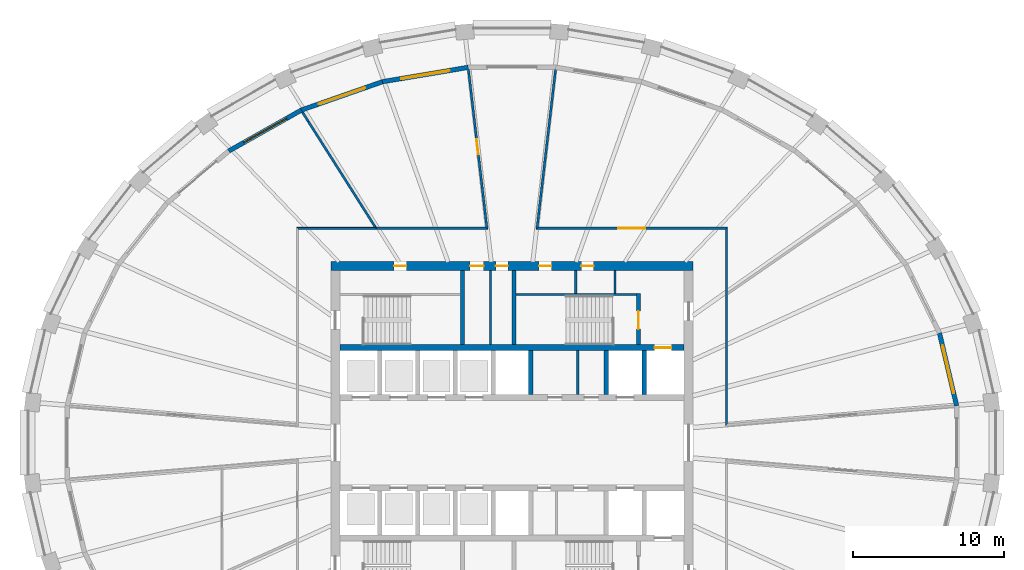
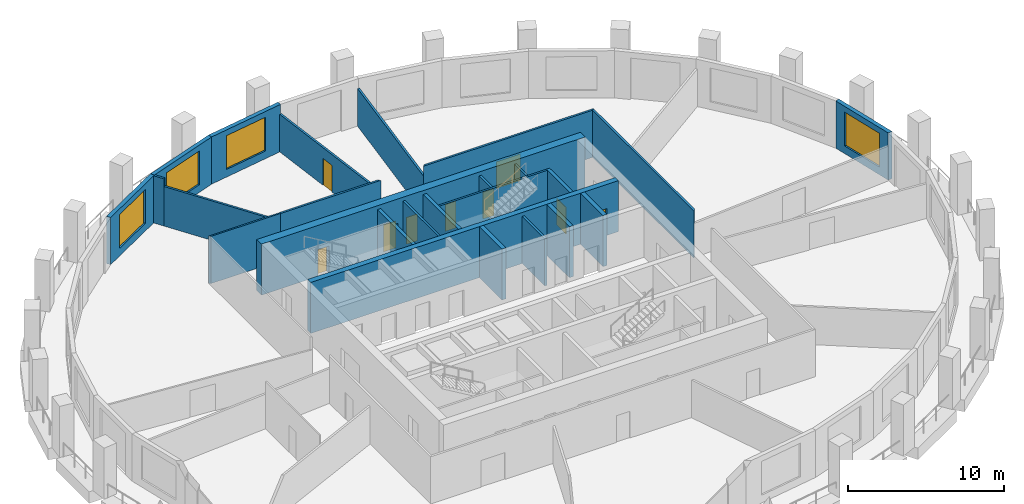
# One storey, part 6 of 10: 25 walls, 9 doors, 4 windows, 13 openings.
"""IFC4 building model written with IfcOpenShell, lengths in metres."""

from ifc_helpers import new_model, si_unit, direction, frame, frame_2d, origin, place, context, subcontext, project, spatial, polyline, rectangle, outline, extrude, material, layer, layer_set, type_object, element, fill, save


model = new_model("IFC4")

# Units and contexts
model_context = context("Model", 3, precision=1e-05, world=origin(), true_north=direction((0.0, 1.0)))
body_context = subcontext(model_context, "Body", "Model", "MODEL_VIEW")
ifc_project = project(units=[si_unit("LENGTHUNIT", "METRE"), si_unit("AREAUNIT", "SQUARE_METRE"), si_unit("VOLUMEUNIT", "CUBIC_METRE"), si_unit("PLANEANGLEUNIT", "RADIAN"), si_unit("MASSUNIT", "GRAM", prefix="KILO")], contexts=[model_context])

# Site, building, storey
site_placement = place(None, origin())
site = spatial("IfcSite", under=ifc_project, at=site_placement, CompositionType="ELEMENT")
building_placement = place(site_placement, origin())
building = spatial("IfcBuilding", under=site, at=building_placement, Name="Halqa Exchange Tower", CompositionType="ELEMENT")
storey_placement = place(building_placement, frame((0.0, 0.0, 210.89990234375)))
storey = spatial("IfcBuildingStorey", under=building, at=storey_placement, Name="L48", CompositionType="ELEMENT", Elevation=210.89990234375)

# Walls
ifc_material_1 = material(Name="Fire-rated gypsum board")
ifc_layer_1 = layer(ifc_material_1, 0.14990234375)
ifc_layer_set_1 = layer_set([ifc_layer_1], Name="Fire-rated gypsum board")
wall_type_1 = type_object("IfcWallType", Name="Fire partition EI 60 150", PredefinedType="PARTITIONING", material=ifc_layer_set_1)
wall_1_placement = place(storey_placement, frame((-9.022216796875, 14.235107421875, 0.0), z_axis=(0.0, 0.0, 1.0), x_axis=(-0.535447641226, 0.844568424407, 0.0)))
element("IfcWall", 1, at=wall_1_placement, inside=storey, type_object=wall_type_1, Name="L48-PWL-009", PredefinedType="PARTITIONING", context=body_context, shape_type="SweptSolid", body=[
    extrude(outline(polyline([(8.324462890625, 0.074951171875), (6.675048828125, 0.074951171875), (5.025390625, 0.074951171875), (3.3759765625, 0.074951171875), (1.7265625, 0.074951171875), (0.076904296875, 0.074951171875), (0.009033203125, -0.031982421875), (0.021728515625, -0.0400390625), (0.0, -0.074462890625), (0.0, -0.074951171875), (1.664794921875, -0.074951171875), (3.329833984375, -0.074951171875), (4.99462890625, -0.074951171875), (6.65966796875, -0.074951171875), (8.324462890625, -0.074951171875), (8.324462890625, 0.074951171875)])), origin(), (0.0, 0.0, 1.0), 3.10009765625),
])
wall_2_placement = place(storey_placement, frame((-9.0, 14.199951171875, 0.0), z_axis=(0.0, 0.0, 1.0), x_axis=(1.0, 0.0, 0.0)))
element("IfcWall", 2, at=wall_2_placement, inside=storey, type_object=wall_type_1, Name="L48-PWL-010", PredefinedType="PARTITIONING", context=body_context, shape_type="SweptSolid", body=[
    extrude(outline(polyline([(0.0, -0.074951171875), (1.85595703125, -0.074951171875), (3.712158203125, -0.074951171875), (5.568115234375, -0.074951171875), (7.42431640625, -0.074951171875), (7.255859375, 0.074951171875), (5.44189453125, 0.074951171875), (3.6279296875, 0.074951171875), (1.81396484375, 0.074951171875), (0.0, 0.074951171875), (0.0, -0.074951171875)])), origin(), (0.0, 0.0, 1.0), 3.7001953125),
])

# Wall, opening, door
wall_3_placement = place(storey_placement, frame((-1.650146484375, 14.1162109375, 0.0), z_axis=(0.0, 0.0, 1.0), x_axis=(-0.115779808049, 0.99327490457, 0.0)))
wall_3 = element("IfcWall", 3, at=wall_3_placement, inside=storey, type_object=wall_type_1, Name="L48-PWL-012", PredefinedType="PARTITIONING", context=body_context, shape_type="SweptSolid", body=[
    extrude(outline(polyline([(0.0, -0.074951171875), (1.776611328125, -0.074951171875), (3.552978515625, -0.074951171875), (5.329345703125, -0.074951171875), (7.105712890625, -0.074951171875), (8.88232421875, -0.074951171875), (10.65869140625, -0.074951171875), (10.66357421875, -0.032958984375), (10.66357421875, 0.074951171875), (8.914306640625, 0.074951171875), (7.165283203125, 0.074951171875), (5.416015625, 0.074951171875), (3.666748046875, 0.074951171875), (1.917724609375, 0.074951171875), (0.16845703125, 0.074951171875), (0.08447265625, 0.0), (0.0, -0.074951171875)])), origin(), (0.0, 0.0, 1.0), 2.947021484375),
])
opening_1_placement = place(wall_3_placement, frame((5.02587890625, 0.0, 0.0)))
opening_1 = element("IfcOpeningElement", 4, at=opening_1_placement, cuts=wall_3, Name="Opening 14-01", PredefinedType="OPENING", context=body_context, shape_type="SweptSolid", body=[
    extrude(rectangle(XDim=1.0, YDim=2.10009765625, at=frame_2d((0.5, 1.050048828125))), frame((0.0, 0.0869140625, 0.0), z_axis=(0.0, -1.0, 0.0), x_axis=(1.0, 0.0, 0.0)), (0.0, 0.0, 1.0), 0.173828125),
])
ifc_material_2 = material(Name="Steel fire door leaf", Category="steel")
door_type_1 = type_object("IfcDoorType", Name="Fire door FD30S 1000 x 2100", OperationType="SINGLE_SWING_LEFT", PredefinedType="DOOR", material=ifc_material_2)
door_1_placement = place(opening_1_placement, origin())
door_1 = element("IfcDoor", 5, at=door_1_placement, inside=storey, type_object=door_type_1, Name="L48-IDR-001", OperationType="SINGLE_SWING_LEFT", OverallHeight=2.10009765625, OverallWidth=1.0, PredefinedType="DOOR", context=body_context, shape_type="SweptSolid", body=[
    extrude(rectangle(XDim=1.0, YDim=2.10009765625, at=frame_2d((0.5, 1.050048828125))), frame((0.0, 0.02490234375, 0.0), z_axis=(0.0, -1.0, 0.0), x_axis=(1.0, 0.0, 0.0)), (0.0, 0.0, 1.0), 0.050048828125),
])
fill(opening_1, door_1)

wall_4_placement = place(storey_placement, frame((1.57568359375, 14.199951171875, 0.0), z_axis=(0.0, 0.0, 1.0), x_axis=(1.0, 0.0, 0.0)))
wall_4 = element("IfcWall", 6, at=wall_4_placement, inside=storey, type_object=wall_type_1, Name="L48-PWL-013", PredefinedType="PARTITIONING", context=body_context, shape_type="SweptSolid", body=[
    extrude(outline(polyline([(0.0, -0.074951171875), (1.792724609375, -0.074951171875), (3.58544921875, -0.074951171875), (5.37841796875, -0.074951171875), (7.171142578125, -0.074951171875), (8.9638671875, -0.074951171875), (10.756591796875, -0.074951171875), (12.54931640625, -0.074951171875), (12.69921875, 0.074951171875), (10.9091796875, 0.074951171875), (9.118896484375, 0.074951171875), (7.328857421875, 0.074951171875), (5.538818359375, 0.074951171875), (3.748779296875, 0.074951171875), (1.95849609375, 0.074951171875), (0.16845703125, 0.074951171875), (0.0, -0.074951171875)])), origin(), (0.0, 0.0, 1.0), 3.7001953125),
])
opening_2_placement = place(wall_4_placement, frame((5.4541015625, 0.0, 0.0)))
opening_2 = element("IfcOpeningElement", 7, at=opening_2_placement, cuts=wall_4, Name="Opening 14-09", PredefinedType="OPENING", context=body_context, shape_type="SweptSolid", body=[
    extrude(rectangle(XDim=1.800048828125, YDim=2.10009765625, at=frame_2d((0.89990234375, 1.050048828125))), frame((0.0, 0.0869140625, 0.0), z_axis=(0.0, -1.0, 0.0), x_axis=(1.0, 0.0, 0.0)), (0.0, 0.0, 1.0), 0.173828125),
])
door_type_2 = type_object("IfcDoorType", Name="Fire door FD30S double 1800 x 2100", OperationType="DOUBLE_DOOR_SINGLE_SWING", PredefinedType="DOOR", material=ifc_material_2)
door_2_placement = place(opening_2_placement, origin())
door_2 = element("IfcDoor", 8, at=door_2_placement, inside=storey, type_object=door_type_2, Name="L48-IDR-009", OperationType="DOUBLE_DOOR_SINGLE_SWING", OverallHeight=2.10009765625, OverallWidth=1.800048828125, PredefinedType="DOOR", context=body_context, shape_type="SweptSolid", body=[
    extrude(rectangle(XDim=1.800048828125, YDim=2.10009765625, at=frame_2d((0.89990234375, 1.050048828125))), frame((0.0, 0.02490234375, 0.0), z_axis=(0.0, -1.0, 0.0), x_axis=(1.0, 0.0, 0.0)), (0.0, 0.0, 1.0), 0.050048828125),
])
fill(opening_2, door_2)

# Walls
wall_5_placement = place(storey_placement, frame((2.884765625, 24.7080078125, 0.0), z_axis=(0.0, 0.0, 1.0), x_axis=(-0.115779808049, -0.99327490457, 0.0)))
element("IfcWall", 9, at=wall_5_placement, inside=storey, type_object=wall_type_1, Name="L48-PWL-014", PredefinedType="PARTITIONING", context=body_context, shape_type="SweptSolid", body=[
    extrude(outline(polyline([(0.0048828125, -0.074951171875), (1.78125, -0.074951171875), (3.5576171875, -0.074951171875), (5.334228515625, -0.074951171875), (7.110595703125, -0.074951171875), (8.886962890625, -0.074951171875), (10.663330078125, -0.074951171875), (10.5791015625, 0.0), (10.4951171875, 0.074951171875), (8.745849609375, 0.074951171875), (6.99658203125, 0.074951171875), (5.24755859375, 0.074951171875), (3.498291015625, 0.074951171875), (1.749267578125, 0.074951171875), (0.0, 0.074951171875), (0.0, -0.03369140625), (0.0048828125, -0.074951171875)])), origin(), (0.0, 0.0, 1.0), 2.947021484375),
])
wall_6_placement = place(storey_placement, frame((14.199951171875, 1.098388671875, 0.0), z_axis=(0.0, 0.0, 1.0), x_axis=(0.0, 1.0, 0.0)))
element("IfcWall", 10, at=wall_6_placement, inside=storey, type_object=wall_type_1, Name="L48-PWL-018", PredefinedType="PARTITIONING", context=body_context, shape_type="SweptSolid", body=[
    extrude(outline(polyline([(0.1630859375, -0.074951171875), (2.02197265625, -0.074951171875), (3.881103515625, -0.074951171875), (5.740234375, -0.074951171875), (7.599365234375, -0.074951171875), (9.458251953125, -0.074951171875), (11.3173828125, -0.074951171875), (13.176513671875, -0.074951171875), (13.026611328125, 0.074951171875), (11.165771484375, 0.074951171875), (9.3046875, 0.074951171875), (7.44384765625, 0.074951171875), (5.5830078125, 0.074951171875), (3.721923828125, 0.074951171875), (1.861083984375, 0.074951171875), (0.0, 0.074951171875), (0.1630859375, -0.074951171875)])), origin(), (0.0, 0.0, 1.0), 3.7001953125),
])
wall_7_placement = place(storey_placement, frame((-13.4794921875, 21.265625, 0.0), z_axis=(0.0, 0.0, 1.0), x_axis=(-0.535361185811, 0.844623230042, 0.0)))
element("IfcWall", 11, at=wall_7_placement, inside=storey, type_object=wall_type_1, Name="L48-PWL-022", PredefinedType="PARTITIONING", context=body_context, shape_type="SweptSolid", body=[
    extrude(outline(polyline([(0.0, -0.074951171875), (0.731201171875, -0.074951171875), (0.747802734375, -0.004150390625), (0.75146484375, 0.06689453125), (0.75146484375, 0.074951171875), (0.0, 0.074951171875), (0.0, -0.074951171875)])), origin(), (0.0, 0.0, 1.0), 3.7001953125),
])
ifc_material_3 = material(Name="Fire-rated glazing", Category="glass")
ifc_layer_2 = layer(ifc_material_3, 0.1201171875)
ifc_layer_set_2 = layer_set([ifc_layer_2], Name="Fire-rated glazing")
wall_type_2 = type_object("IfcWallType", Name="Glazed fire partition EI 60 120", PredefinedType="PARTITIONING", material=ifc_layer_set_2)
wall_8_placement = place(storey_placement, frame((-14.260009765625, 14.199951171875, 0.0), z_axis=(0.0, 0.0, 1.0), x_axis=(1.0, 0.0, 0.0)))
element("IfcWall", 12, at=wall_8_placement, inside=storey, type_object=wall_type_2, Name="L48-PWL-008", PredefinedType="PARTITIONING", context=body_context, shape_type="SweptSolid", body=[
    extrude(outline(polyline([(5.260009765625, 0.06005859375), (3.506591796875, 0.06005859375), (1.75341796875, 0.06005859375), (0.0, 0.06005859375), (0.1201171875, -0.06005859375), (1.83349609375, -0.06005859375), (3.546630859375, -0.06005859375), (5.260009765625, -0.06005859375), (5.260009765625, 0.06005859375)])), origin(), (0.0, 0.0, 1.0), 3.7001953125),
])
ifc_material_4 = material(Name="Gypsum board")
ifc_layer_3 = layer(ifc_material_4, 0.14990234375)
ifc_layer_set_3 = layer_set([ifc_layer_3], Name="Gypsum board")
wall_type_3 = type_object("IfcWallType", Name="Penthouse riser wall 150 gypsum", PredefinedType="PARTITIONING", material=ifc_layer_set_3)
wall_9_placement = place(storey_placement, frame((-1.425048828125, 6.5, 0.0), z_axis=(0.0, 0.0, 1.0), x_axis=(0.0, 1.0, 0.0)))
element("IfcWall", 13, at=wall_9_placement, inside=storey, type_object=wall_type_3, Name="Partition W1.425 N", PredefinedType="PARTITIONING", context=body_context, shape_type="SweptSolid", body=[
    extrude(rectangle(XDim=4.89990234375, YDim=0.14990234375, at=frame_2d((2.449951171875, 0.0))), origin(), (0.0, 0.0, 1.0), 3.7001953125),
])
for number, where, z_axis, x_axis, name in (
    (14, (4.22509765625, 9.89990234375, 0.0), (0.0, 0.0, 1.0), (0.0, 1.0, 0.0), "Partition E4.225 N"),
    (15, (6.824951171875, 9.89990234375, 0.0), (0.0, 0.0, 1.0), (0.0, 1.0, 0.0), "Firefighting lobby west wall N"),
):
    element("IfcWall", number, at=place(storey_placement, frame(where, z_axis=z_axis, x_axis=x_axis)), inside=storey, type_object=wall_type_3, Name=name, PredefinedType="PARTITIONING", context=body_context, shape_type="SweptSolid", body=[
        extrude(rectangle(XDim=1.5, YDim=0.14990234375, at=frame_2d((0.75, 0.0))), origin(), (0.0, 0.0, 1.0), 3.7001953125),
    ])
wall_10_placement = place(storey_placement, frame((4.35009765625, 3.199951171875, 0.0), z_axis=(0.0, 0.0, 1.0), x_axis=(0.0, 1.0, 0.0)))
element("IfcWall", 16, at=wall_10_placement, inside=storey, type_object=wall_type_3, Name="Freed bay partition NE4.350", PredefinedType="PARTITIONING", context=body_context, shape_type="SweptSolid", body=[
    extrude(rectangle(XDim=2.900146484375, YDim=0.14990234375, at=frame_2d((1.4501953125, 0.0))), origin(), (0.0, 0.0, 1.0), 3.7001953125),
])
ifc_material_5 = material(Name="Concrete C60/75", Category="concrete")
ifc_layer_4 = layer(ifc_material_5, 0.300048828125)
ifc_layer_set_4 = layer_set([ifc_layer_4], Name="Concrete C60/75")
wall_type_4 = type_object("IfcWallType", Name="RC core wall 300", PredefinedType="SHEAR", material=ifc_layer_set_4)
for number, where, z_axis, x_axis, name in (
    (17, (1.25, 3.199951171875, 0.0), (0.0, 0.0, 1.0), (0.0, 1.0, 0.0), "Shaft divider N5"),
    (18, (6.25, 3.199951171875, 0.0), (0.0, 0.0, 1.0), (0.0, 1.0, 0.0), "Shaft divider N7"),
    (19, (8.75, 3.199951171875, 0.0), (0.0, 0.0, 1.0), (0.0, 1.0, 0.0), "Shaft divider N8"),
):
    element("IfcWall", number, at=place(storey_placement, frame(where, z_axis=z_axis, x_axis=x_axis)), inside=storey, type_object=wall_type_4, Name=name, PredefinedType="SHEAR", context=body_context, shape_type="SweptSolid", body=[
        extrude(rectangle(XDim=2.900146484375, YDim=0.300048828125, at=frame_2d((1.4501953125, 0.0))), origin(), (0.0, 0.0, 1.0), 4.0),
    ])

# Wall, opening, door
ifc_material_6 = material(Name="Concrete C70/85", Category="concrete")
ifc_layer_5 = layer(ifc_material_6, 0.39990234375)
ifc_layer_set_5 = layer_set([ifc_layer_5], Name="Concrete C70/85")
wall_type_5 = type_object("IfcWallType", Name="RC core wall 400 C70/85", PredefinedType="SHEAR", material=ifc_layer_set_5)
wall_11_placement = place(storey_placement, frame((-11.39990234375, 6.300048828125, 0.0), z_axis=(0.0, 0.0, 1.0), x_axis=(1.0, 0.0, 0.0)))
wall_11 = element("IfcWall", 20, at=wall_11_placement, inside=storey, type_object=wall_type_5, Name="Lift row back wall N", PredefinedType="SHEAR", context=body_context, shape_type="SweptSolid", body=[
    extrude(rectangle(XDim=22.7998046875, YDim=0.39990234375, at=frame_2d((11.39990234375, 0.0))), origin(), (0.0, 0.0, 1.0), 4.0),
])
opening_3_placement = place(wall_11_placement, frame((20.85009765625, 0.0, 0.0)))
opening_3 = element("IfcOpeningElement", 21, at=opening_3_placement, cuts=wall_11, Name="Opening LD-FF1-T14", PredefinedType="OPENING", context=body_context, shape_type="SweptSolid", body=[
    extrude(rectangle(XDim=1.10009765625, YDim=2.10009765625, at=frame_2d((0.550048828125, 1.050048828125))), frame((0.0, 0.2119140625, 0.0), z_axis=(0.0, -1.0, 0.0), x_axis=(1.0, 0.0, 0.0)), (0.0, 0.0, 1.0), 0.423828125),
])
ifc_material_7 = material(Name="Stainless steel", Category="steel")
door_type_3 = type_object("IfcDoorType", Name="Lift landing door 1100 x 2100", OperationType="SLIDING_TO_LEFT", PredefinedType="DOOR", material=ifc_material_7)
door_3_placement = place(opening_3_placement, origin())
door_3 = element("IfcDoor", 22, at=door_3_placement, inside=storey, type_object=door_type_3, Name="Lift landing door FF1", OperationType="SLIDING_TO_LEFT", OverallHeight=2.10009765625, OverallWidth=1.10009765625, PredefinedType="DOOR", context=body_context, shape_type="SweptSolid", body=[
    extrude(rectangle(XDim=1.10009765625, YDim=2.10009765625, at=frame_2d((0.550048828125, 1.050048828125))), frame((0.0, 0.02490234375, 0.0), z_axis=(0.0, -1.0, 0.0), x_axis=(1.0, 0.0, 0.0)), (0.0, 0.0, 1.0), 0.050048828125),
])
fill(opening_3, door_3)

# Wall, openings, doors
ifc_layer_6 = layer(ifc_material_6, 0.60009765625)
ifc_layer_set_6 = layer_set([ifc_layer_6], Name="Concrete C70/85")
wall_type_6 = type_object("IfcWallType", Name="RC core wall 600 C70/85", PredefinedType="SHEAR", material=ifc_layer_set_6)
wall_12_placement = place(storey_placement, frame((-12.0, 11.699951171875, 0.0), z_axis=(0.0, 0.0, 1.0), x_axis=(1.0, 0.0, 0.0)))
wall_12 = element("IfcWall", 23, at=wall_12_placement, inside=storey, type_object=wall_type_6, Name="Core wall north", PredefinedType="SHEAR", context=body_context, shape_type="SweptSolid", body=[
    extrude(rectangle(XDim=24.0, YDim=0.60009765625, at=frame_2d((12.0, 0.0))), origin(), (0.0, 0.0, 1.0), 4.0),
])
opening_4_placement = place(wall_12_placement, frame((9.22509765625, 0.0, 0.0)))
opening_4 = element("IfcOpeningElement", 24, at=opening_4_placement, cuts=wall_12, Name="Opening T14-C21", PredefinedType="OPENING", context=body_context, shape_type="SweptSolid", body=[
    extrude(rectangle(XDim=0.89990234375, YDim=2.10009765625, at=frame_2d((0.449951171875, 1.050048828125))), frame((0.0, 0.31201171875, 0.0), z_axis=(0.0, -1.0, 0.0), x_axis=(1.0, 0.0, 0.0)), (0.0, 0.0, 1.0), 0.6240234375),
])
opening_5_placement = place(wall_12_placement, frame((10.925048828125, 0.0, 0.0)))
opening_5 = element("IfcOpeningElement", 25, at=opening_5_placement, cuts=wall_12, Name="Opening T14-C22", PredefinedType="OPENING", context=body_context, shape_type="SweptSolid", body=[
    extrude(rectangle(XDim=0.800048828125, YDim=2.10009765625, at=frame_2d((0.39990234375, 1.050048828125))), frame((0.0, 0.31201171875, 0.0), z_axis=(0.0, -1.0, 0.0), x_axis=(1.0, 0.0, 0.0)), (0.0, 0.0, 1.0), 0.6240234375),
])
opening_6_placement = place(wall_12_placement, frame((4.199951171875, 0.0, 0.0)))
opening_6 = element("IfcOpeningElement", 26, at=opening_6_placement, cuts=wall_12, Name="Opening T14-C23", PredefinedType="OPENING", context=body_context, shape_type="SweptSolid", body=[
    extrude(rectangle(XDim=0.800048828125, YDim=2.10009765625, at=frame_2d((0.39990234375, 1.050048828125))), frame((0.0, 0.31201171875, 0.0), z_axis=(0.0, -1.0, 0.0), x_axis=(1.0, 0.0, 0.0)), (0.0, 0.0, 1.0), 0.6240234375),
])
opening_7_placement = place(wall_12_placement, frame((13.800048828125, 0.0, 0.0)))
opening_7 = element("IfcOpeningElement", 27, at=opening_7_placement, cuts=wall_12, Name="Opening T14-C24", PredefinedType="OPENING", context=body_context, shape_type="SweptSolid", body=[
    extrude(rectangle(XDim=0.800048828125, YDim=2.10009765625, at=frame_2d((0.39990234375, 1.050048828125))), frame((0.0, 0.31201171875, 0.0), z_axis=(0.0, -1.0, 0.0), x_axis=(1.0, 0.0, 0.0)), (0.0, 0.0, 1.0), 0.6240234375),
])
opening_8_placement = place(wall_12_placement, frame((16.60009765625, 0.0, 0.0)))
opening_8 = element("IfcOpeningElement", 28, at=opening_8_placement, cuts=wall_12, Name="Opening T14-C25", PredefinedType="OPENING", context=body_context, shape_type="SweptSolid", body=[
    extrude(rectangle(XDim=0.800048828125, YDim=2.10009765625, at=frame_2d((0.39990234375, 1.050048828125))), frame((0.0, 0.31201171875, 0.0), z_axis=(0.0, -1.0, 0.0), x_axis=(1.0, 0.0, 0.0)), (0.0, 0.0, 1.0), 0.6240234375),
])
ifc_material_8 = material(Name="Timber fire door leaf", Category="wood")
door_type_4 = type_object("IfcDoorType", Name="Core room door FD30 900 x 2100", OperationType="SINGLE_SWING_LEFT", PredefinedType="DOOR", material=ifc_material_8)
door_4_placement = place(opening_4_placement, frame((0.89990234375, 0.0, 0.0), z_axis=(0.0, 0.0, 1.0), x_axis=(-1.0, 0.0, 0.0)))
door_4 = element("IfcDoor", 29, at=door_4_placement, inside=storey, type_object=door_type_4, Name="Core room door", OperationType="SINGLE_SWING_RIGHT", OverallHeight=2.10009765625, OverallWidth=0.89990234375, PredefinedType="DOOR", context=body_context, shape_type="SweptSolid", body=[
    extrude(rectangle(XDim=0.89990234375, YDim=2.10009765625, at=frame_2d((0.449951171875, 1.050048828125))), frame((0.0, 0.02490234375, 0.0), z_axis=(0.0, -1.0, 0.0), x_axis=(1.0, 0.0, 0.0)), (0.0, 0.0, 1.0), 0.050048828125),
])
fill(opening_4, door_4)
door_type_5 = type_object("IfcDoorType", Name="Riser door FD60 800 x 2100", OperationType="SINGLE_SWING_LEFT", PredefinedType="DOOR", material=ifc_material_2)
door_5_placement = place(opening_5_placement, frame((0.800048828125, 0.0, 0.0), z_axis=(0.0, 0.0, 1.0), x_axis=(-1.0, 0.0, 0.0)))
door_5 = element("IfcDoor", 30, at=door_5_placement, inside=storey, type_object=door_type_5, Name="Core room door", OperationType="SINGLE_SWING_RIGHT", OverallHeight=2.10009765625, OverallWidth=0.800048828125, PredefinedType="DOOR", context=body_context, shape_type="SweptSolid", body=[
    extrude(rectangle(XDim=0.800048828125, YDim=2.10009765625, at=frame_2d((0.39990234375, 1.050048828125))), frame((0.0, 0.02490234375, 0.0), z_axis=(0.0, -1.0, 0.0), x_axis=(1.0, 0.0, 0.0)), (0.0, 0.0, 1.0), 0.050048828125),
])
fill(opening_5, door_5)
door_6_placement = place(opening_6_placement, frame((0.800048828125, 0.0, 0.0), z_axis=(0.0, 0.0, 1.0), x_axis=(-1.0, 0.0, 0.0)))
door_6 = element("IfcDoor", 31, at=door_6_placement, inside=storey, type_object=door_type_5, Name="Core room door", OperationType="SINGLE_SWING_RIGHT", OverallHeight=2.10009765625, OverallWidth=0.800048828125, PredefinedType="DOOR", context=body_context, shape_type="SweptSolid", body=[
    extrude(rectangle(XDim=0.800048828125, YDim=2.10009765625, at=frame_2d((0.39990234375, 1.050048828125))), frame((0.0, 0.02490234375, 0.0), z_axis=(0.0, -1.0, 0.0), x_axis=(1.0, 0.0, 0.0)), (0.0, 0.0, 1.0), 0.050048828125),
])
fill(opening_6, door_6)
door_7_placement = place(opening_7_placement, frame((0.800048828125, 0.0, 0.0), z_axis=(0.0, 0.0, 1.0), x_axis=(-1.0, 0.0, 0.0)))
door_7 = element("IfcDoor", 32, at=door_7_placement, inside=storey, type_object=door_type_5, Name="Core room door", OperationType="SINGLE_SWING_LEFT", OverallHeight=2.10009765625, OverallWidth=0.800048828125, PredefinedType="DOOR", context=body_context, shape_type="SweptSolid", body=[
    extrude(rectangle(XDim=0.800048828125, YDim=2.10009765625, at=frame_2d((0.39990234375, 1.050048828125))), frame((0.0, 0.02490234375, 0.0), z_axis=(0.0, -1.0, 0.0), x_axis=(1.0, 0.0, 0.0)), (0.0, 0.0, 1.0), 0.050048828125),
])
fill(opening_7, door_7)
door_8_placement = place(opening_8_placement, frame((0.800048828125, 0.0, 0.0), z_axis=(0.0, 0.0, 1.0), x_axis=(-1.0, 0.0, 0.0)))
door_8 = element("IfcDoor", 33, at=door_8_placement, inside=storey, type_object=door_type_5, Name="Core room door", OperationType="SINGLE_SWING_LEFT", OverallHeight=2.10009765625, OverallWidth=0.800048828125, PredefinedType="DOOR", context=body_context, shape_type="SweptSolid", body=[
    extrude(rectangle(XDim=0.800048828125, YDim=2.10009765625, at=frame_2d((0.39990234375, 1.050048828125))), frame((0.0, 0.02490234375, 0.0), z_axis=(0.0, -1.0, 0.0), x_axis=(1.0, 0.0, 0.0)), (0.0, 0.0, 1.0), 0.050048828125),
])
fill(opening_8, door_8)

# Walls
ifc_material_9 = material(Name="Concrete C30/37", Category="concrete")
ifc_layer_7 = layer(ifc_material_9, 0.14990234375)
ifc_layer_set_7 = layer_set([ifc_layer_7], Name="Concrete C30/37")
wall_type_7 = type_object("IfcWallType", Name="RC stair wall 150 C30/37", PredefinedType="SHEAR", material=ifc_layer_set_7)
wall_13_placement = place(storey_placement, frame((0.25, 9.824951171875, 0.0), z_axis=(0.0, 0.0, 1.0), x_axis=(1.0, 0.0, 0.0)))
element("IfcWall", 34, at=wall_13_placement, inside=storey, type_object=wall_type_7, Name="Stair ST2 north wall N", PredefinedType="SHEAR", context=body_context, shape_type="SweptSolid", body=[
    extrude(rectangle(XDim=8.0, YDim=0.14990234375, at=frame_2d((4.0, 0.0))), origin(), (0.0, 0.0, 1.0), 3.7001953125),
])
ifc_layer_8 = layer(ifc_material_9, 0.25)
ifc_layer_set_8 = layer_set([ifc_layer_8], Name="Concrete C30/37")
wall_type_8 = type_object("IfcWallType", Name="RC stair wall 250 C30/37", PredefinedType="SHEAR", material=ifc_layer_set_8)
for number, where, z_axis, x_axis, name in (
    (35, (-3.27490234375, 6.5, 0.0), (0.0, 0.0, 1.0), (0.0, 1.0, 0.0), "Stair ST1 east wall N"),
    (36, (0.125, 6.5, 0.0), (0.0, 0.0, 1.0), (0.0, 1.0, 0.0), "Stair ST2 west wall N"),
):
    element("IfcWall", number, at=place(storey_placement, frame(where, z_axis=z_axis, x_axis=x_axis)), inside=storey, type_object=wall_type_8, Name=name, PredefinedType="SHEAR", context=body_context, shape_type="SweptSolid", body=[
        extrude(rectangle(XDim=4.89990234375, YDim=0.25, at=frame_2d((2.449951171875, 0.0))), origin(), (0.0, 0.0, 1.0), 3.7001953125),
    ])

# Wall, opening, door
wall_14_placement = place(storey_placement, frame((8.375, 6.5, 0.0), z_axis=(0.0, 0.0, 1.0), x_axis=(0.0, 1.0, 0.0)))
wall_14 = element("IfcWall", 37, at=wall_14_placement, inside=storey, type_object=wall_type_8, Name="Stair ST2 east wall N", PredefinedType="SHEAR", context=body_context, shape_type="SweptSolid", body=[
    extrude(rectangle(XDim=3.39990234375, YDim=0.25, at=frame_2d((1.699951171875, 0.0))), origin(), (0.0, 0.0, 1.0), 3.7001953125),
])
opening_9_placement = place(wall_14_placement, frame((1.02490234375, 0.0, 0.0)))
opening_9 = element("IfcOpeningElement", 38, at=opening_9_placement, cuts=wall_14, Name="Opening T14-C16", PredefinedType="OPENING", context=body_context, shape_type="SweptSolid", body=[
    extrude(rectangle(XDim=1.199951171875, YDim=2.10009765625, at=frame_2d((0.60009765625, 1.050048828125))), frame((0.0, 0.136962890625, 0.0), z_axis=(0.0, -1.0, 0.0), x_axis=(1.0, 0.0, 0.0)), (0.0, 0.0, 1.0), 0.27392578125),
])
door_type_6 = type_object("IfcDoorType", Name="Stair door FD90 1200 x 2100", OperationType="SINGLE_SWING_LEFT", PredefinedType="DOOR", material=ifc_material_2)
door_9_placement = place(opening_9_placement, origin())
door_9 = element("IfcDoor", 39, at=door_9_placement, inside=storey, type_object=door_type_6, Name="Stair door ST2", OperationType="SINGLE_SWING_LEFT", OverallHeight=2.10009765625, OverallWidth=1.199951171875, PredefinedType="DOOR", context=body_context, shape_type="SweptSolid", body=[
    extrude(rectangle(XDim=1.199951171875, YDim=2.10009765625, at=frame_2d((0.60009765625, 1.050048828125))), frame((0.0, 0.02490234375, 0.0), z_axis=(0.0, -1.0, 0.0), x_axis=(1.0, 0.0, 0.0)), (0.0, 0.0, 1.0), 0.050048828125),
])
fill(opening_9, door_9)

# Wall, opening, window
ifc_material_10 = material(Name="Limestone cladding", Category="masonry")
ifc_layer_9 = layer(ifc_material_10, 0.0400390625)
ifc_material_11 = material(Name="Ventilated cavity")
ifc_layer_10 = layer(ifc_material_11, 0.030029296875, ventilated=True)
ifc_material_12 = material(Name="Mineral wool insulation")
ifc_layer_11 = layer(ifc_material_12, 0.10009765625)
ifc_layer_12 = layer(ifc_material_9, 0.10009765625)
ifc_material_13 = material(Name="Internal plaster")
ifc_layer_13 = layer(ifc_material_13, 0.030029296875)
ifc_layer_set_9 = layer_set([ifc_layer_9, ifc_layer_10, ifc_layer_11, ifc_layer_12, ifc_layer_13], Name="Stone-faced insulated wall 300")
wall_type_9 = type_object("IfcWallType", Name="Stone-faced insulated wall 300", PredefinedType="STANDARD", material=ifc_layer_set_9)
wall_15_placement = place(storey_placement, frame((29.445068359375, 2.451416015625, 0.0), z_axis=(0.0, 0.0, 1.0), x_axis=(-0.229535186351, 0.973300363828, 0.0)))
wall_15 = element("IfcWall", 40, at=wall_15_placement, inside=storey, type_object=wall_type_9, Name="Glass-line wall 1", PredefinedType="STANDARD", context=body_context, shape_type="SweptSolid", body=[
    extrude(outline(polyline([(-0.017333984375, -0.14990234375), (4.956298828125, -0.14990234375), (4.922607421875, 0.14990234375), (0.017333984375, 0.14990234375), (-0.017333984375, -0.14990234375)])), origin(), (0.0, 0.0, 1.0), 3.7001953125),
])
opening_10_placement = place(wall_15_placement, frame((0.8447265625, 0.0, 0.60009765625)))
opening_10 = element("IfcOpeningElement", 41, at=opening_10_placement, cuts=wall_15, Name="Opening W-F3-01", PredefinedType="OPENING", context=body_context, shape_type="SweptSolid", body=[
    extrude(rectangle(XDim=3.25, YDim=2.64990234375, at=frame_2d((1.625, 1.324951171875))), frame((0.0, 0.162109375, 0.0), z_axis=(0.0, -1.0, 0.0), x_axis=(1.0, 0.0, 0.0)), (0.0, 0.0, 1.0), 0.323974609375),
])
ifc_material_14 = material(Name="Clear low-emissivity glass in aluminium frame", Category="aluminium")
window_type = type_object("IfcWindowType", Name="Fixed clear glazed window 3250 x 2650", PartitioningType="TRIPLE_PANEL_VERTICAL", PredefinedType="WINDOW", material=ifc_material_14)
window_1_placement = place(opening_10_placement, origin())
window_1 = element("IfcWindow", 42, at=window_1_placement, inside=storey, type_object=window_type, Name="Window 3", OverallHeight=2.64990234375, OverallWidth=3.25, PartitioningType="TRIPLE_PANEL_VERTICAL", PredefinedType="WINDOW", context=body_context, shape_type="SweptSolid", body=[
    extrude(rectangle(XDim=3.25, YDim=2.64990234375, at=frame_2d((1.625, 1.324951171875))), frame((0.0, 0.030029296875, 0.0), z_axis=(0.0, -1.0, 0.0), x_axis=(1.0, 0.0, 0.0)), (0.0, 0.0, 1.0), 0.06005859375),
])
fill(opening_10, window_1)

wall_16_placement = place(storey_placement, frame((-2.897705078125, 24.86181640625, 0.0), z_axis=(0.0, 0.0, 1.0), x_axis=(-0.98622052717, -0.165436005116, 0.0)))
wall_16 = element("IfcWall", 43, at=wall_16_placement, inside=storey, type_object=wall_type_9, Name="Glass-line wall 9", PredefinedType="STANDARD", context=body_context, shape_type="SweptSolid", body=[
    extrude(outline(polyline([(-0.012451171875, -0.14990234375), (5.77685546875, -0.14990234375), (5.75146484375, 0.14990234375), (0.012451171875, 0.14990234375), (-0.012451171875, -0.14990234375)])), origin(), (0.0, 0.0, 1.0), 3.7001953125),
])
opening_11_placement = place(wall_16_placement, frame((1.257080078125, 0.0, 0.60009765625)))
opening_11 = element("IfcOpeningElement", 44, at=opening_11_placement, cuts=wall_16, Name="Opening W-F3-09", PredefinedType="OPENING", context=body_context, shape_type="SweptSolid", body=[
    extrude(rectangle(XDim=3.25, YDim=2.64990234375, at=frame_2d((1.625, 1.324951171875))), frame((0.0, 0.162109375, 0.0), z_axis=(0.0, -1.0, 0.0), x_axis=(1.0, 0.0, 0.0)), (0.0, 0.0, 1.0), 0.323974609375),
])
window_2_placement = place(opening_11_placement, origin())
window_2 = element("IfcWindow", 45, at=window_2_placement, inside=storey, type_object=window_type, Name="Window 3", OverallHeight=2.64990234375, OverallWidth=3.25, PartitioningType="TRIPLE_PANEL_VERTICAL", PredefinedType="WINDOW", context=body_context, shape_type="SweptSolid", body=[
    extrude(rectangle(XDim=3.25, YDim=2.64990234375, at=frame_2d((1.625, 1.324951171875))), frame((0.0, 0.030029296875, 0.0), z_axis=(0.0, -1.0, 0.0), x_axis=(1.0, 0.0, 0.0)), (0.0, 0.0, 1.0), 0.06005859375),
])
fill(opening_11, window_2)

wall_17_placement = place(storey_placement, frame((-8.58251953125, 23.908203125, 0.0), z_axis=(0.0, 0.0, 1.0), x_axis=(-0.944023272224, -0.329878858824, 0.0)))
wall_17 = element("IfcWall", 46, at=wall_17_placement, inside=storey, type_object=wall_type_9, Name="Glass-line wall 10", PredefinedType="STANDARD", context=body_context, shape_type="SweptSolid", body=[
    extrude(outline(polyline([(-0.0126953125, -0.14990234375), (5.68701171875, -0.14990234375), (5.66015625, 0.14990234375), (0.0126953125, 0.14990234375), (-0.0126953125, -0.14990234375)])), origin(), (0.0, 0.0, 1.0), 3.7001953125),
])
opening_12_placement = place(wall_17_placement, frame((1.2119140625, 0.0, 0.60009765625)))
opening_12 = element("IfcOpeningElement", 47, at=opening_12_placement, cuts=wall_17, Name="Opening W-F3-10", PredefinedType="OPENING", context=body_context, shape_type="SweptSolid", body=[
    extrude(rectangle(XDim=3.25, YDim=2.64990234375, at=frame_2d((1.625, 1.324951171875))), frame((0.0, 0.162109375, 0.0), z_axis=(0.0, -1.0, 0.0), x_axis=(1.0, 0.0, 0.0)), (0.0, 0.0, 1.0), 0.323974609375),
])
window_3_placement = place(opening_12_placement, origin())
window_3 = element("IfcWindow", 48, at=window_3_placement, inside=storey, type_object=window_type, Name="Window 3", OverallHeight=2.64990234375, OverallWidth=3.25, PartitioningType="TRIPLE_PANEL_VERTICAL", PredefinedType="WINDOW", context=body_context, shape_type="SweptSolid", body=[
    extrude(rectangle(XDim=3.25, YDim=2.64990234375, at=frame_2d((1.625, 1.324951171875))), frame((0.0, 0.030029296875, 0.0), z_axis=(0.0, -1.0, 0.0), x_axis=(1.0, 0.0, 0.0)), (0.0, 0.0, 1.0), 0.06005859375),
])
fill(opening_12, window_3)

wall_18_placement = place(storey_placement, frame((-13.9384765625, 22.03662109375, 0.0), z_axis=(0.0, 0.0, 1.0), x_axis=(-0.871140546168, -0.491033755278, 0.0)))
wall_18 = element("IfcWall", 49, at=wall_18_placement, inside=storey, type_object=wall_type_9, Name="Glass-line wall 11", PredefinedType="STANDARD", context=body_context, shape_type="SweptSolid", body=[
    extrude(outline(polyline([(-0.013427734375, -0.14990234375), (5.549560546875, -0.14990234375), (5.521240234375, 0.14990234375), (0.013427734375, 0.14990234375), (-0.013427734375, -0.14990234375)])), origin(), (0.0, 0.0, 1.0), 3.7001953125),
])
opening_13_placement = place(wall_18_placement, frame((1.142578125, 0.0, 0.60009765625)))
opening_13 = element("IfcOpeningElement", 50, at=opening_13_placement, cuts=wall_18, Name="Opening W-F3-11", PredefinedType="OPENING", context=body_context, shape_type="SweptSolid", body=[
    extrude(rectangle(XDim=3.25, YDim=2.64990234375, at=frame_2d((1.625, 1.324951171875))), frame((0.0, 0.162109375, 0.0), z_axis=(0.0, -1.0, 0.0), x_axis=(1.0, 0.0, 0.0)), (0.0, 0.0, 1.0), 0.323974609375),
])
window_4_placement = place(opening_13_placement, origin())
window_4 = element("IfcWindow", 51, at=window_4_placement, inside=storey, type_object=window_type, Name="Window 3", OverallHeight=2.64990234375, OverallWidth=3.25, PartitioningType="TRIPLE_PANEL_VERTICAL", PredefinedType="WINDOW", context=body_context, shape_type="SweptSolid", body=[
    extrude(rectangle(XDim=3.25, YDim=2.64990234375, at=frame_2d((1.625, 1.324951171875))), frame((0.0, 0.030029296875, 0.0), z_axis=(0.0, -1.0, 0.0), x_axis=(1.0, 0.0, 0.0)), (0.0, 0.0, 1.0), 0.06005859375),
])
fill(opening_13, window_4)

save(model, "model.ifc")
